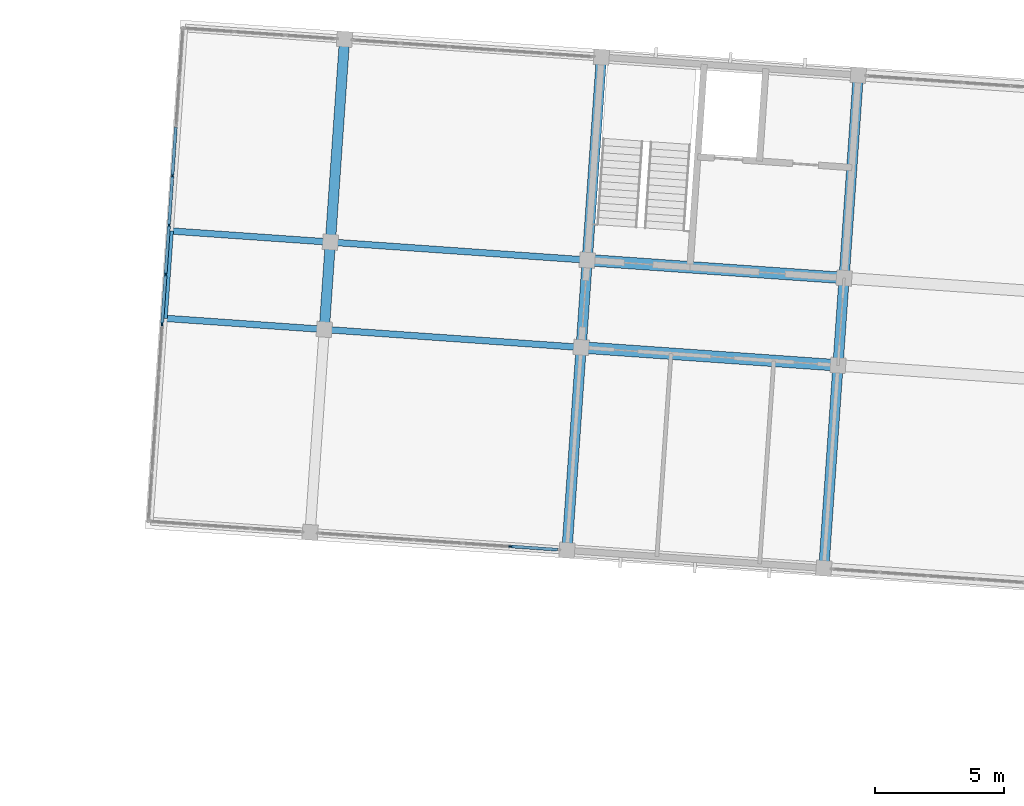
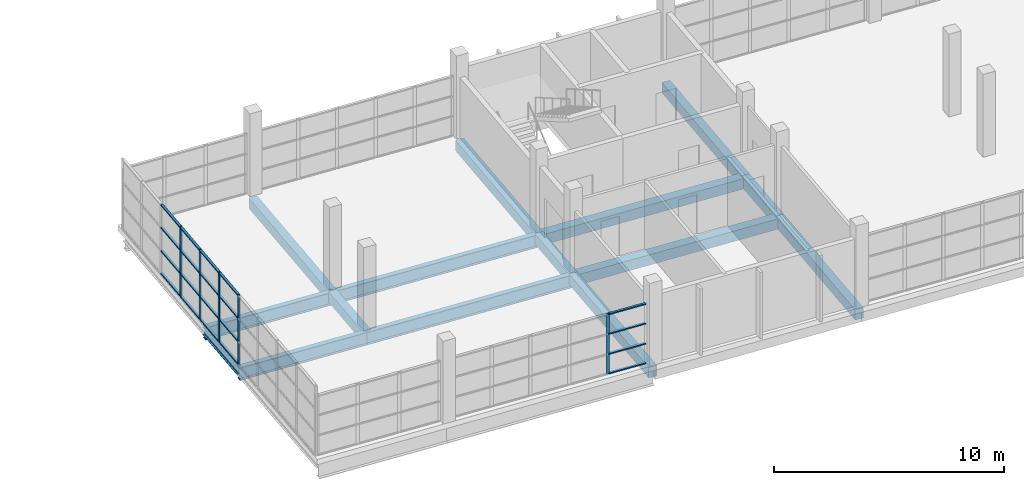
# One storey, part 38 of 115: 25 members, 15 beams, 2 elements without a shape of their own.
"""IFC4 building model written with IfcOpenShell, lengths in metres."""

from ifc_helpers import new_model, si_unit, direction, frame, origin, origin_2d, place, context, subcontext, project, spatial, rectangle, i_section, extrude, material, material_profile, profile_set, type_object, element, aggregate, save


model = new_model("IFC4")

# Units and contexts
model_context = context("Model", 3, precision=1e-05, world=origin(), true_north=direction((0.0, 1.0)))
body_context = subcontext(model_context, "Body", "Model", "MODEL_VIEW")
ifc_project = project(units=[si_unit("LENGTHUNIT", "METRE"), si_unit("AREAUNIT", "SQUARE_METRE"), si_unit("VOLUMEUNIT", "CUBIC_METRE"), si_unit("PLANEANGLEUNIT", "RADIAN"), si_unit("MASSUNIT", "GRAM", prefix="KILO")], contexts=[model_context])

# Site, building, storey
site_placement = place(None, origin())
site = spatial("IfcSite", under=ifc_project, at=site_placement, CompositionType="ELEMENT")
building_placement = place(site_placement, origin())
building = spatial("IfcBuilding", under=site, at=building_placement, Name="Windward Yard Aquatics Centre", CompositionType="ELEMENT")
storey_placement = place(building_placement, frame((0.0, 0.0, 5.0)))
storey = spatial("IfcBuildingStorey", under=building, at=storey_placement, Name="L01", CompositionType="ELEMENT", Elevation=5.0)

# Curtain wall, member
ifc_material_1 = material(Name="Aluminium curtain wall system", Category="aluminium")
curtain_wall_type = type_object("IfcCurtainWallType", Name="W curtain wall 1900", PredefinedType="NOTDEFINED", material=ifc_material_1)
curtain_wall_1_placement = place(storey_placement, origin())
curtain_wall_1 = element("IfcCurtainWall", 1, at=curtain_wall_1_placement, inside=storey, type_object=curtain_wall_type, Name="Wing south glazing L01 2", PredefinedType="NOTDEFINED")
ifc_material_2 = material(Name="Aluminium mullion", Category="aluminium")
ifc_material_profile_1 = material_profile(ifc_material_2, rectangle(XDim=0.06005859375, YDim=0.159912109375, at=origin_2d()), Name="AL 60x160")
ifc_profile_set_1 = profile_set([ifc_material_profile_1], Name="Aluminium mullion")
member_type_1 = type_object("IfcMemberType", Name="W CW mullion 60x160", PredefinedType="MULLION", material=ifc_profile_set_1)
member_1_placement = place(storey_placement, frame((115.6640625, 116.319580078125, 0.0), z_axis=(0.0, 0.0, 1.0), x_axis=(0.069755340111, 0.997564129531, 0.0)))
member_1 = element("IfcMember", 2, at=member_1_placement, type_object=member_type_1, Name="WCW1 mullion 5", PredefinedType="MULLION", context=body_context, shape_type="SweptSolid", body=[
    extrude(rectangle(XDim=0.06005859375, YDim=0.159912109375, at=origin_2d()), origin(), (0.0, 0.0, 1.0), 3.2060546875),
])

# Curtain wall, members
curtain_wall_2_placement = place(storey_placement, origin())
curtain_wall_2 = element("IfcCurtainWall", 3, at=curtain_wall_2_placement, inside=storey, type_object=curtain_wall_type, Name="Wing west glazing L01 1", PredefinedType="NOTDEFINED")
member_2_placement = place(storey_placement, frame((102.1142578125, 124.9658203125, 0.0), z_axis=(0.0, 0.0, 1.0), x_axis=(-0.997564130771, 0.069755322369, 0.0)))
member_2 = element("IfcMember", 4, at=member_2_placement, type_object=member_type_1, Name="WCW1 mullion 5", PredefinedType="MULLION", context=body_context, shape_type="SweptSolid", body=[
    extrude(rectangle(XDim=0.06005859375, YDim=0.159912109375, at=origin_2d()), origin(), (0.0, 0.0, 1.0), 3.702880859375),
])
member_3_placement = place(storey_placement, frame((102.248291015625, 126.881103515625, 0.0), z_axis=(0.0, 0.0, 1.0), x_axis=(-0.997564130771, 0.069755322369, 0.0)))
member_3 = element("IfcMember", 5, at=member_3_placement, type_object=member_type_1, Name="WCW1 mullion 6", PredefinedType="MULLION", context=body_context, shape_type="SweptSolid", body=[
    extrude(rectangle(XDim=0.06005859375, YDim=0.159912109375, at=origin_2d()), origin(), (0.0, 0.0, 1.0), 3.702880859375),
])
member_4_placement = place(storey_placement, frame((102.382080078125, 128.796630859375, 0.0), z_axis=(0.0, 0.0, 1.0), x_axis=(-0.997564130771, 0.069755322369, 0.0)))
member_4 = element("IfcMember", 6, at=member_4_placement, type_object=member_type_1, Name="WCW1 mullion 7", PredefinedType="MULLION", context=body_context, shape_type="SweptSolid", body=[
    extrude(rectangle(XDim=0.06005859375, YDim=0.159912109375, at=origin_2d()), origin(), (0.0, 0.0, 1.0), 3.702880859375),
])
member_5_placement = place(storey_placement, frame((102.51611328125, 130.7119140625, 0.0), z_axis=(0.0, 0.0, 1.0), x_axis=(-0.997564130771, 0.069755322369, 0.0)))
member_5 = element("IfcMember", 7, at=member_5_placement, type_object=member_type_1, Name="WCW1 mullion 8", PredefinedType="MULLION", context=body_context, shape_type="SweptSolid", body=[
    extrude(rectangle(XDim=0.06005859375, YDim=0.159912109375, at=origin_2d()), origin(), (0.0, 0.0, 1.0), 3.702880859375),
])

# Member
ifc_material_3 = material(Name="Aluminium transom", Category="aluminium")
ifc_material_profile_2 = material_profile(ifc_material_3, rectangle(XDim=0.1201171875, YDim=0.06005859375, at=origin_2d()), Name="AL 120x60")
ifc_profile_set_2 = profile_set([ifc_material_profile_2], Name="Aluminium transom")
member_type_2 = type_object("IfcMemberType", Name="W CW transom 120x60", PredefinedType="USERDEFINED", material=ifc_profile_set_2)
member_6_placement = place(storey_placement, frame((115.694091796875, 116.317626953125, 0.030029296875), z_axis=(0.997558777123, -0.069831842205, 0.0), x_axis=(0.069831842205, 0.997558777123, 0.0)))
member_6 = element("IfcMember", 8, at=member_6_placement, type_object=member_type_2, Name="WCW1 transom 5.1", ObjectType="TRANSOM", PredefinedType="USERDEFINED", context=body_context, shape_type="SweptSolid", body=[
    extrude(rectangle(XDim=0.1201171875, YDim=0.06005859375, at=origin_2d()), origin(), (0.0, 0.0, 1.0), 1.7900390625),
])

member_7_placement = place(storey_placement, frame((115.694091796875, 116.317626953125, 1.068603515625), z_axis=(0.997558777123, -0.069831842205, 0.0), x_axis=(0.069831842205, 0.997558777123, 0.0)))
member_7 = element("IfcMember", 9, at=member_7_placement, type_object=member_type_2, Name="WCW1 transom 5.2", ObjectType="TRANSOM", PredefinedType="USERDEFINED", context=body_context, shape_type="SweptSolid", body=[
    extrude(rectangle(XDim=0.1201171875, YDim=0.06005859375, at=origin_2d()), origin(), (0.0, 0.0, 1.0), 1.7900390625),
])

member_8_placement = place(storey_placement, frame((115.694091796875, 116.317626953125, 2.13720703125), z_axis=(0.997558777123, -0.069831842205, 0.0), x_axis=(0.069831842205, 0.997558777123, 0.0)))
member_8 = element("IfcMember", 10, at=member_8_placement, type_object=member_type_2, Name="WCW1 transom 5.3", ObjectType="TRANSOM", PredefinedType="USERDEFINED", context=body_context, shape_type="SweptSolid", body=[
    extrude(rectangle(XDim=0.1201171875, YDim=0.06005859375, at=origin_2d()), origin(), (0.0, 0.0, 1.0), 1.7900390625),
])

member_9_placement = place(storey_placement, frame((115.694091796875, 116.317626953125, 3.176025390625), z_axis=(0.997558777123, -0.069831842205, 0.0), x_axis=(0.069831842205, 0.997558777123, 0.0)))
member_9 = element("IfcMember", 11, at=member_9_placement, type_object=member_type_2, Name="WCW1 transom 5.4", ObjectType="TRANSOM", PredefinedType="USERDEFINED", context=body_context, shape_type="SweptSolid", body=[
    extrude(rectangle(XDim=0.1201171875, YDim=0.06005859375, at=origin_2d()), origin(), (0.0, 0.0, 1.0), 1.7900390625),
])

aggregate(curtain_wall_1, [member_1, member_6, member_7, member_8, member_9])

member_10_placement = place(storey_placement, frame((102.116455078125, 124.995849609375, 0.030029296875), z_axis=(0.069698508173, 0.997568101915, 0.0), x_axis=(-0.997568101915, 0.069698508173, 0.0)))
member_10 = element("IfcMember", 12, at=member_10_placement, type_object=member_type_2, Name="WCW1 transom 5.1", ObjectType="TRANSOM", PredefinedType="USERDEFINED", context=body_context, shape_type="SweptSolid", body=[
    extrude(rectangle(XDim=0.1201171875, YDim=0.06005859375, at=origin_2d()), origin(), (0.0, 0.0, 1.0), 1.860107421875),
])

member_11_placement = place(storey_placement, frame((102.116455078125, 124.995849609375, 1.234375), z_axis=(0.069698508173, 0.997568101915, 0.0), x_axis=(-0.997568101915, 0.069698508173, 0.0)))
member_11 = element("IfcMember", 13, at=member_11_placement, type_object=member_type_2, Name="WCW1 transom 5.2", ObjectType="TRANSOM", PredefinedType="USERDEFINED", context=body_context, shape_type="SweptSolid", body=[
    extrude(rectangle(XDim=0.1201171875, YDim=0.06005859375, at=origin_2d()), origin(), (0.0, 0.0, 1.0), 1.860107421875),
])

member_12_placement = place(storey_placement, frame((102.116455078125, 124.995849609375, 2.46875), z_axis=(0.069698508173, 0.997568101915, 0.0), x_axis=(-0.997568101915, 0.069698508173, 0.0)))
member_12 = element("IfcMember", 14, at=member_12_placement, type_object=member_type_2, Name="WCW1 transom 5.3", ObjectType="TRANSOM", PredefinedType="USERDEFINED", context=body_context, shape_type="SweptSolid", body=[
    extrude(rectangle(XDim=0.1201171875, YDim=0.06005859375, at=origin_2d()), origin(), (0.0, 0.0, 1.0), 1.860107421875),
])

member_13_placement = place(storey_placement, frame((102.116455078125, 124.995849609375, 3.673095703125), z_axis=(0.069698508173, 0.997568101915, 0.0), x_axis=(-0.997568101915, 0.069698508173, 0.0)))
member_13 = element("IfcMember", 15, at=member_13_placement, type_object=member_type_2, Name="WCW1 transom 5.4", ObjectType="TRANSOM", PredefinedType="USERDEFINED", context=body_context, shape_type="SweptSolid", body=[
    extrude(rectangle(XDim=0.1201171875, YDim=0.06005859375, at=origin_2d()), origin(), (0.0, 0.0, 1.0), 1.860107421875),
])

member_14_placement = place(storey_placement, frame((102.250244140625, 126.9111328125, 0.030029296875), z_axis=(0.0698291277, 0.997558967142, 0.0), x_axis=(-0.997558967142, 0.0698291277, 0.0)))
member_14 = element("IfcMember", 16, at=member_14_placement, type_object=member_type_2, Name="WCW1 transom 6.1", ObjectType="TRANSOM", PredefinedType="USERDEFINED", context=body_context, shape_type="SweptSolid", body=[
    extrude(rectangle(XDim=0.1201171875, YDim=0.06005859375, at=origin_2d()), origin(), (0.0, 0.0, 1.0), 1.860107421875),
])

member_15_placement = place(storey_placement, frame((102.250244140625, 126.9111328125, 1.234375), z_axis=(0.0698291277, 0.997558967142, 0.0), x_axis=(-0.997558967142, 0.0698291277, 0.0)))
member_15 = element("IfcMember", 17, at=member_15_placement, type_object=member_type_2, Name="WCW1 transom 6.2", ObjectType="TRANSOM", PredefinedType="USERDEFINED", context=body_context, shape_type="SweptSolid", body=[
    extrude(rectangle(XDim=0.1201171875, YDim=0.06005859375, at=origin_2d()), origin(), (0.0, 0.0, 1.0), 1.860107421875),
])

member_16_placement = place(storey_placement, frame((102.250244140625, 126.9111328125, 2.46875), z_axis=(0.0698291277, 0.997558967142, 0.0), x_axis=(-0.997558967142, 0.0698291277, 0.0)))
member_16 = element("IfcMember", 18, at=member_16_placement, type_object=member_type_2, Name="WCW1 transom 6.3", ObjectType="TRANSOM", PredefinedType="USERDEFINED", context=body_context, shape_type="SweptSolid", body=[
    extrude(rectangle(XDim=0.1201171875, YDim=0.06005859375, at=origin_2d()), origin(), (0.0, 0.0, 1.0), 1.860107421875),
])

member_17_placement = place(storey_placement, frame((102.250244140625, 126.9111328125, 3.673095703125), z_axis=(0.0698291277, 0.997558967142, 0.0), x_axis=(-0.997558967142, 0.0698291277, 0.0)))
member_17 = element("IfcMember", 19, at=member_17_placement, type_object=member_type_2, Name="WCW1 transom 6.4", ObjectType="TRANSOM", PredefinedType="USERDEFINED", context=body_context, shape_type="SweptSolid", body=[
    extrude(rectangle(XDim=0.1201171875, YDim=0.06005859375, at=origin_2d()), origin(), (0.0, 0.0, 1.0), 1.860107421875),
])

member_18_placement = place(storey_placement, frame((102.38427734375, 128.826416015625, 0.030029296875), z_axis=(0.069698508173, 0.997568101915, 0.0), x_axis=(-0.997568101915, 0.069698508173, 0.0)))
member_18 = element("IfcMember", 20, at=member_18_placement, type_object=member_type_2, Name="WCW1 transom 7.1", ObjectType="TRANSOM", PredefinedType="USERDEFINED", context=body_context, shape_type="SweptSolid", body=[
    extrude(rectangle(XDim=0.1201171875, YDim=0.06005859375, at=origin_2d()), origin(), (0.0, 0.0, 1.0), 1.860107421875),
])

member_19_placement = place(storey_placement, frame((102.38427734375, 128.826416015625, 1.234375), z_axis=(0.069698508173, 0.997568101915, 0.0), x_axis=(-0.997568101915, 0.069698508173, 0.0)))
member_19 = element("IfcMember", 21, at=member_19_placement, type_object=member_type_2, Name="WCW1 transom 7.2", ObjectType="TRANSOM", PredefinedType="USERDEFINED", context=body_context, shape_type="SweptSolid", body=[
    extrude(rectangle(XDim=0.1201171875, YDim=0.06005859375, at=origin_2d()), origin(), (0.0, 0.0, 1.0), 1.860107421875),
])

member_20_placement = place(storey_placement, frame((102.38427734375, 128.826416015625, 2.46875), z_axis=(0.069698508173, 0.997568101915, 0.0), x_axis=(-0.997568101915, 0.069698508173, 0.0)))
member_20 = element("IfcMember", 22, at=member_20_placement, type_object=member_type_2, Name="WCW1 transom 7.3", ObjectType="TRANSOM", PredefinedType="USERDEFINED", context=body_context, shape_type="SweptSolid", body=[
    extrude(rectangle(XDim=0.1201171875, YDim=0.06005859375, at=origin_2d()), origin(), (0.0, 0.0, 1.0), 1.860107421875),
])

member_21_placement = place(storey_placement, frame((102.38427734375, 128.826416015625, 3.673095703125), z_axis=(0.069698508173, 0.997568101915, 0.0), x_axis=(-0.997568101915, 0.069698508173, 0.0)))
member_21 = element("IfcMember", 23, at=member_21_placement, type_object=member_type_2, Name="WCW1 transom 7.4", ObjectType="TRANSOM", PredefinedType="USERDEFINED", context=body_context, shape_type="SweptSolid", body=[
    extrude(rectangle(XDim=0.1201171875, YDim=0.06005859375, at=origin_2d()), origin(), (0.0, 0.0, 1.0), 1.860107421875),
])

member_22_placement = place(storey_placement, frame((102.518310546875, 130.74169921875, 0.030029296875), z_axis=(0.069698508173, 0.997568101915, 0.0), x_axis=(-0.997568101915, 0.069698508173, 0.0)))
member_22 = element("IfcMember", 24, at=member_22_placement, type_object=member_type_2, Name="WCW1 transom 8.1", ObjectType="TRANSOM", PredefinedType="USERDEFINED", context=body_context, shape_type="SweptSolid", body=[
    extrude(rectangle(XDim=0.1201171875, YDim=0.06005859375, at=origin_2d()), origin(), (0.0, 0.0, 1.0), 1.860107421875),
])

member_23_placement = place(storey_placement, frame((102.518310546875, 130.74169921875, 1.234375), z_axis=(0.069698508173, 0.997568101915, 0.0), x_axis=(-0.997568101915, 0.069698508173, 0.0)))
member_23 = element("IfcMember", 25, at=member_23_placement, type_object=member_type_2, Name="WCW1 transom 8.2", ObjectType="TRANSOM", PredefinedType="USERDEFINED", context=body_context, shape_type="SweptSolid", body=[
    extrude(rectangle(XDim=0.1201171875, YDim=0.06005859375, at=origin_2d()), origin(), (0.0, 0.0, 1.0), 1.860107421875),
])

member_24_placement = place(storey_placement, frame((102.518310546875, 130.74169921875, 2.46875), z_axis=(0.069698508173, 0.997568101915, 0.0), x_axis=(-0.997568101915, 0.069698508173, 0.0)))
member_24 = element("IfcMember", 26, at=member_24_placement, type_object=member_type_2, Name="WCW1 transom 8.3", ObjectType="TRANSOM", PredefinedType="USERDEFINED", context=body_context, shape_type="SweptSolid", body=[
    extrude(rectangle(XDim=0.1201171875, YDim=0.06005859375, at=origin_2d()), origin(), (0.0, 0.0, 1.0), 1.860107421875),
])

member_25_placement = place(storey_placement, frame((102.518310546875, 130.74169921875, 3.673095703125), z_axis=(0.069698508173, 0.997568101915, 0.0), x_axis=(-0.997568101915, 0.069698508173, 0.0)))
member_25 = element("IfcMember", 27, at=member_25_placement, type_object=member_type_2, Name="WCW1 transom 8.4", ObjectType="TRANSOM", PredefinedType="USERDEFINED", context=body_context, shape_type="SweptSolid", body=[
    extrude(rectangle(XDim=0.1201171875, YDim=0.06005859375, at=origin_2d()), origin(), (0.0, 0.0, 1.0), 1.860107421875),
])

aggregate(curtain_wall_2, [member_2, member_3, member_4, member_5, member_10, member_11, member_12, member_13, member_14, member_15, member_16, member_17, member_18, member_19, member_20, member_21, member_22, member_23, member_24, member_25])

# Beams
ifc_material_4 = material(Name="Concrete C40/50", Category="concrete")
ifc_material_profile_3 = material_profile(ifc_material_4, rectangle(XDim=0.39990234375, YDim=0.550048828125, at=origin_2d()), Name="RC 400x550")
ifc_profile_set_3 = profile_set([ifc_material_profile_3], Name="Concrete C40/50")
beam_type_1 = type_object("IfcBeamType", Name="W RC 400x550 beam Concrete C40/50", PredefinedType="BEAM", material=ifc_profile_set_3)
beam_1_placement = place(storey_placement, frame((108.414306640625, 124.745849609375, -0.554931640625), z_axis=(0.069792686595, 0.99756151735, 0.0), x_axis=(-0.99756151735, 0.069792686595, 0.0)))
element("IfcBeam", 28, at=beam_1_placement, inside=storey, type_object=beam_type_1, Name="W.BV.L01.1.B", PredefinedType="BEAM", context=body_context, shape_type="SweptSolid", body=[
    extrude(rectangle(XDim=0.39990234375, YDim=0.550048828125, at=origin_2d()), origin(), (0.0, 0.0, 1.0), 3.400146484375),
])
beam_2_placement = place(storey_placement, frame((108.651611328125, 128.1376953125, -0.554931640625), z_axis=(0.069720566328, 0.997566560502, 0.0), x_axis=(-0.997566560502, 0.069720566328, 0.0)))
element("IfcBeam", 29, at=beam_2_placement, inside=storey, type_object=beam_type_1, Name="W.BV.L01.1.C", PredefinedType="BEAM", context=body_context, shape_type="SweptSolid", body=[
    extrude(rectangle(XDim=0.39990234375, YDim=0.550048828125, at=origin_2d()), origin(), (0.0, 0.0, 1.0), 7.89990234375),
])
beam_3_placement = place(storey_placement, frame((117.8388671875, 116.16748046875, -0.554931640625), z_axis=(0.0697491702, 0.997564560947, 0.0), x_axis=(-0.997564560947, 0.0697491702, 0.0)))
element("IfcBeam", 30, at=beam_3_placement, inside=storey, type_object=beam_type_1, Name="W.BV.L01.2.A", PredefinedType="BEAM", context=body_context, shape_type="SweptSolid", body=[
    extrude(rectangle(XDim=0.39990234375, YDim=0.550048828125, at=origin_2d()), origin(), (0.0, 0.0, 1.0), 7.900146484375),
])
beam_4_placement = place(storey_placement, frame((118.389892578125, 124.04833984375, -0.554931640625), z_axis=(0.069797686069, 0.997561167558, 0.0), x_axis=(-0.997561167558, 0.069797686069, 0.0)))
element("IfcBeam", 31, at=beam_4_placement, inside=storey, type_object=beam_type_1, Name="W.BV.L01.2.B", PredefinedType="BEAM", context=body_context, shape_type="SweptSolid", body=[
    extrude(rectangle(XDim=0.39990234375, YDim=0.550048828125, at=origin_2d()), origin(), (0.0, 0.0, 1.0), 3.39990234375),
])
beam_5_placement = place(storey_placement, frame((118.627197265625, 127.43994140625, -0.554931640625), z_axis=(0.0697491702, 0.997564560947, 0.0), x_axis=(-0.997564560947, 0.0697491702, 0.0)))
element("IfcBeam", 32, at=beam_5_placement, inside=storey, type_object=beam_type_1, Name="W.BV.L01.2.C", PredefinedType="BEAM", context=body_context, shape_type="SweptSolid", body=[
    extrude(rectangle(XDim=0.39990234375, YDim=0.550048828125, at=origin_2d()), origin(), (0.0, 0.0, 1.0), 7.900146484375),
])
beam_6_placement = place(storey_placement, frame((127.814453125, 115.469970703125, -0.554931640625), z_axis=(0.069751320509, 0.997564410596, 0.0), x_axis=(-0.997564410596, 0.069751320509, 0.0)))
element("IfcBeam", 33, at=beam_6_placement, inside=storey, type_object=beam_type_1, Name="W.BV.L01.3.A", PredefinedType="BEAM", context=body_context, shape_type="SweptSolid", body=[
    extrude(rectangle(XDim=0.39990234375, YDim=0.550048828125, at=origin_2d()), origin(), (0.0, 0.0, 1.0), 7.89990234375),
])
beam_7_placement = place(storey_placement, frame((128.365478515625, 123.3505859375, -0.554931640625), z_axis=(0.069792686595, 0.99756151735, 0.0), x_axis=(-0.99756151735, 0.069792686595, 0.0)))
element("IfcBeam", 34, at=beam_7_placement, inside=storey, type_object=beam_type_1, Name="W.BV.L01.3.B", PredefinedType="BEAM", context=body_context, shape_type="SweptSolid", body=[
    extrude(rectangle(XDim=0.39990234375, YDim=0.550048828125, at=origin_2d()), origin(), (0.0, 0.0, 1.0), 3.400146484375),
])
beam_8_placement = place(storey_placement, frame((128.602783203125, 126.742431640625, -0.554931640625), z_axis=(0.0697491702, 0.997564560947, 0.0), x_axis=(-0.997564560947, 0.0697491702, 0.0)))
element("IfcBeam", 35, at=beam_8_placement, inside=storey, type_object=beam_type_1, Name="W.BV.L01.3.C", PredefinedType="BEAM", context=body_context, shape_type="SweptSolid", body=[
    extrude(rectangle(XDim=0.39990234375, YDim=0.550048828125, at=origin_2d()), origin(), (0.0, 0.0, 1.0), 7.900146484375),
])
ifc_material_profile_4 = material_profile(ifc_material_4, rectangle(XDim=0.449951171875, YDim=0.550048828125, at=origin_2d()), Name="RC 450x550")
ifc_profile_set_4 = profile_set([ifc_material_profile_4], Name="Concrete C40/50")
beam_type_2 = type_object("IfcBeamType", Name="W RC 450x550 beam Concrete C40/50", PredefinedType="BEAM", material=ifc_profile_set_4)
for number, where, z_axis, x_axis, name in (
    (36, (118.389892578125, 124.04833984375, -0.554931640625), (0.997562707158, -0.069775678342, 0.0), (0.069775678342, 0.997562707158, 0.0), "W.BU.L01.2.2"),
    (37, (118.627197265625, 127.43994140625, -0.554931640625), (0.997564406228, -0.069751382981, 0.0), (0.069751382981, 0.997564406228, 0.0), "W.BU.L01.3.2"),
):
    element("IfcBeam", number, at=place(storey_placement, frame(where, z_axis=z_axis, x_axis=x_axis)), inside=storey, type_object=beam_type_2, Name=name, PredefinedType="BEAM", context=body_context, shape_type="SweptSolid", body=[
        extrude(rectangle(XDim=0.449951171875, YDim=0.550048828125, at=origin_2d()), origin(), (0.0, 0.0, 1.0), 10.0),
    ])
ifc_material_5 = material(Name="Steel S355", Category="steel")
ifc_material_profile_5 = material_profile(ifc_material_5, i_section(OverallWidth=0.180908203125, OverallDepth=0.4169921875, WebThickness=0.010986328125, FlangeThickness=0.018310546875, at=origin_2d()), Name="W410x85")
ifc_profile_set_5 = profile_set([ifc_material_profile_5], Name="Steel S355")
beam_type_3 = type_object("IfcBeamType", Name="W W410x85 beam", PredefinedType="BEAM", material=ifc_profile_set_5)
beam_9_placement = place(storey_placement, frame((102.2294921875, 125.17822265625, -0.488525390625), z_axis=(0.069721232637, 0.997566513933, 0.0), x_axis=(-0.997566513933, 0.069721232637, 0.0)))
element("IfcBeam", 38, at=beam_9_placement, inside=storey, type_object=beam_type_3, Name="W.BT.L01.B", PredefinedType="BEAM", context=body_context, shape_type="SweptSolid", body=[
    extrude(i_section(OverallWidth=0.180908203125, OverallDepth=0.4169921875, WebThickness=0.010986328125, FlangeThickness=0.018310546875, at=origin_2d()), origin(), (0.0, 0.0, 1.0), 3.400146484375),
])
ifc_material_profile_6 = material_profile(ifc_material_5, i_section(OverallWidth=0.25390625, OverallDepth=0.677978515625, WebThickness=0.01171875, FlangeThickness=0.016357421875, at=origin_2d()), Name="W690x125")
ifc_profile_set_6 = profile_set([ifc_material_profile_6], Name="Steel S355")
beam_type_4 = type_object("IfcBeamType", Name="W W690x125 beam", PredefinedType="BEAM", material=ifc_profile_set_6)
beam_10_placement = place(storey_placement, frame((102.2294921875, 125.17822265625, -0.618896484375), z_axis=(0.997565299424, -0.069738607559, 0.0), x_axis=(0.069738607559, 0.997565299424, 0.0)))
element("IfcBeam", 39, at=beam_10_placement, inside=storey, type_object=beam_type_4, Name="W.BC.L01.2", PredefinedType="BEAM", context=body_context, shape_type="SweptSolid", body=[
    extrude(i_section(OverallWidth=0.25390625, OverallDepth=0.677978515625, WebThickness=0.01171875, FlangeThickness=0.016357421875, at=origin_2d()), origin(), (0.0, 0.0, 1.0), 6.199951171875),
])
beam_11_placement = place(storey_placement, frame((108.414306640625, 124.745849609375, -0.618896484375), z_axis=(0.997564406228, -0.069751382981, 0.0), x_axis=(0.069751382981, 0.997564406228, 0.0)))
element("IfcBeam", 40, at=beam_11_placement, inside=storey, type_object=beam_type_4, Name="W.BB.L01.2", PredefinedType="BEAM", context=body_context, shape_type="SweptSolid", body=[
    extrude(i_section(OverallWidth=0.25390625, OverallDepth=0.677978515625, WebThickness=0.01171875, FlangeThickness=0.016357421875, at=origin_2d()), origin(), (0.0, 0.0, 1.0), 10.0),
])
beam_12_placement = place(storey_placement, frame((102.466552734375, 128.570068359375, -0.618896484375), z_axis=(0.997565490927, -0.069735868178, 0.0), x_axis=(0.069735868178, 0.997565490927, 0.0)))
element("IfcBeam", 41, at=beam_12_placement, inside=storey, type_object=beam_type_4, Name="W.BC.L01.3", PredefinedType="BEAM", context=body_context, shape_type="SweptSolid", body=[
    extrude(i_section(OverallWidth=0.25390625, OverallDepth=0.677978515625, WebThickness=0.01171875, FlangeThickness=0.016357421875, at=origin_2d()), origin(), (0.0, 0.0, 1.0), 6.2001953125),
])
beam_13_placement = place(storey_placement, frame((108.651611328125, 128.1376953125, -0.618896484375), z_axis=(0.997562707158, -0.069775678342, 0.0), x_axis=(0.069775678342, 0.997562707158, 0.0)))
element("IfcBeam", 42, at=beam_13_placement, inside=storey, type_object=beam_type_4, Name="W.BB.L01.3", PredefinedType="BEAM", context=body_context, shape_type="SweptSolid", body=[
    extrude(i_section(OverallWidth=0.25390625, OverallDepth=0.677978515625, WebThickness=0.01171875, FlangeThickness=0.016357421875, at=origin_2d()), origin(), (0.0, 0.0, 1.0), 10.0),
])

save(model, "model.ifc")
